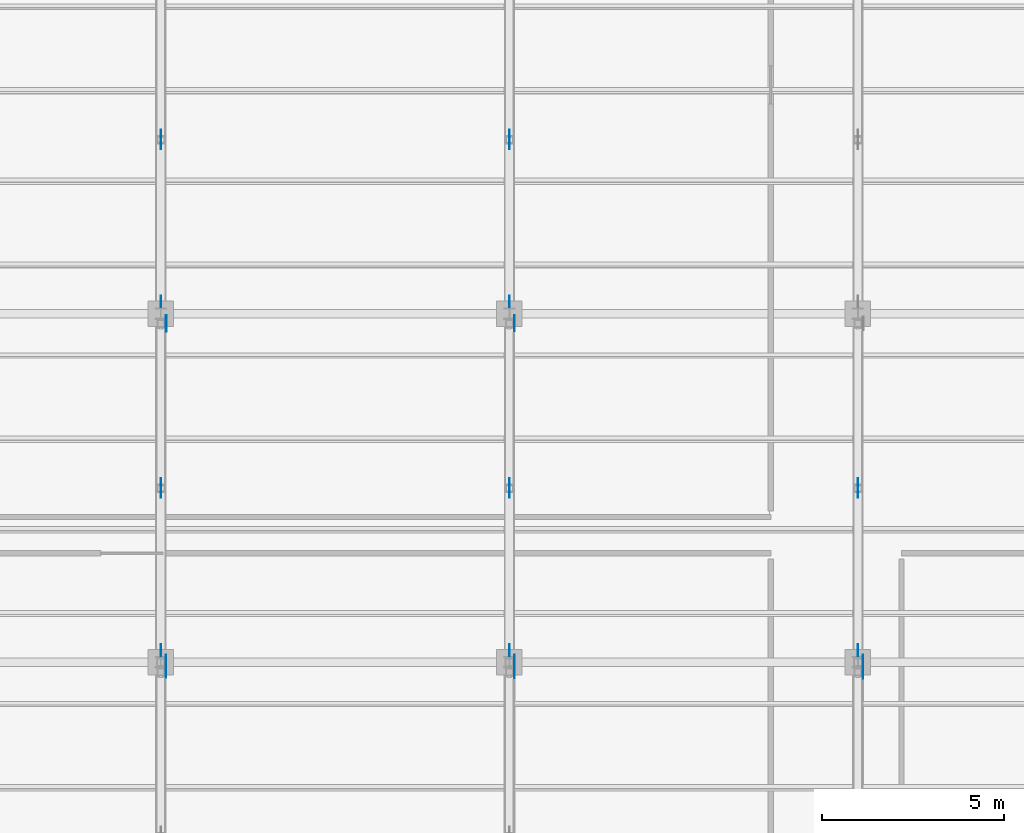
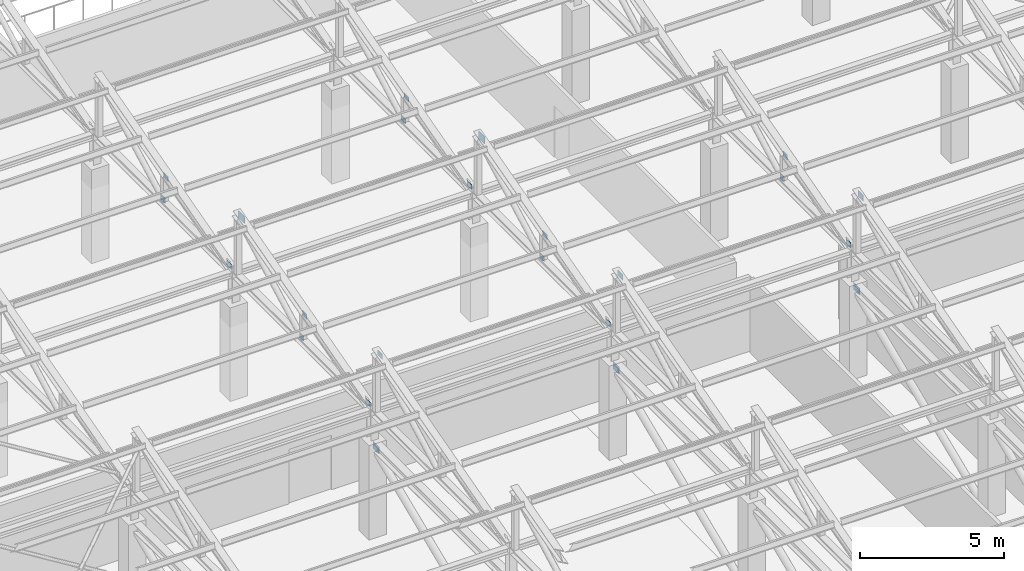
# One storey, part 49 of 71: 23 plates.
"""IFC4 building model written with IfcOpenShell, lengths in metres."""

from ifc_helpers import new_model, si_unit, direction, frame, origin, origin_2d, place, context, subcontext, project, spatial, rectangle, extrude, material, layer, layer_set, type_object, element, save


model = new_model("IFC4")

# Units and contexts
model_context = context("Model", 3, precision=1e-05, world=origin(), true_north=direction((0.0, 1.0)))
body_context = subcontext(model_context, "Body", "Model", "MODEL_VIEW")
ifc_project = project(units=[si_unit("LENGTHUNIT", "METRE"), si_unit("AREAUNIT", "SQUARE_METRE"), si_unit("VOLUMEUNIT", "CUBIC_METRE"), si_unit("PLANEANGLEUNIT", "RADIAN"), si_unit("MASSUNIT", "GRAM", prefix="KILO")], contexts=[model_context])

# Site, building, storey
site_placement = place(None, origin())
site = spatial("IfcSite", under=ifc_project, at=site_placement, CompositionType="ELEMENT")
building_placement = place(site_placement, origin())
building = spatial("IfcBuilding", under=site, at=building_placement, Name="Bempovik Park Faculty of Sciences", CompositionType="ELEMENT")
storey_placement = place(building_placement, frame((0.0, 0.0, 14.10009765625)))
storey = spatial("IfcBuildingStorey", under=building, at=storey_placement, Name="L03", CompositionType="ELEMENT", Elevation=14.10009765625)

# Plates
ifc_material = material(Name="Steel S355", Category="steel")
ifc_layer_1 = layer(ifc_material, 0.01611328125)
ifc_layer_set_1 = layer_set([ifc_layer_1], Name="Steel S355")
plate_type_1 = type_object("IfcPlateType", Name="PL-19 Steel Plate 350x240x16", PredefinedType="USERDEFINED", material=ifc_layer_set_1)
plate_1_placement = place(storey_placement, frame((88.946044921875, 38.72998046875, 7.484375), z_axis=(0.0, 0.0, 1.0), x_axis=(1.0, 0.0, 0.0)))
element("IfcPlate", 1, at=plate_1_placement, inside=storey, type_object=plate_type_1, Name="Sawtooth Ridge Gusset Plate V1-B2-88.8", ObjectType="STIFFENER PLATE", PredefinedType="USERDEFINED", context=body_context, shape_type="SweptSolid", body=[
    extrude(rectangle(XDim=0.01611328125, YDim=0.35009765625, at=origin_2d()), origin(), (0.0, 0.0, 1.0), 0.239990234375),
])
ifc_layer_2 = layer(ifc_material, 0.01806640625)
ifc_layer_set_2 = layer_set([ifc_layer_2], Name="Steel S355")
plate_type_2 = type_object("IfcPlateType", Name="PL-22 Steel Plate 420x300x18", PredefinedType="SHEET", material=ifc_layer_set_2)
for number, where, z_axis, x_axis, name in (
    (2, (79.340087890625, 39.0, 3.3701171875), (0.0, 0.0, 1.0), (1.0, 0.0, 0.0), "Cantilever Gusset Plate CT3-5-T"),
    (3, (88.93994140625, 39.0, 3.3701171875), (0.0, 0.0, 1.0), (1.0, 0.0, 0.0), "Cantilever Gusset Plate CT4-5-T"),
    (4, (98.5400390625, 39.0, 3.3701171875), (0.0, 0.0, 1.0), (1.0, 0.0, 0.0), "Cantilever Gusset Plate CT5-5-T"),
):
    element("IfcPlate", number, at=place(storey_placement, frame(where, z_axis=z_axis, x_axis=x_axis)), inside=storey, type_object=plate_type_2, Name=name, PredefinedType="SHEET", context=body_context, shape_type="SweptSolid", body=[
        extrude(rectangle(XDim=0.01806640625, YDim=0.419921875, at=origin_2d()), origin(), (0.0, 0.0, 1.0), 0.300048828125),
    ])
ifc_layer_3 = layer(ifc_material, 0.011962890625)
ifc_layer_set_3 = layer_set([ifc_layer_3], Name="Steel S355")
plate_type_3 = type_object("IfcPlateType", Name="PL-26 Steel Plate 320x220x12", PredefinedType="SHEET", material=ifc_layer_set_3)
for number, where, z_axis, x_axis, name in (
    (5, (79.343994140625, 38.72998046875, 7.49462890625), (0.0, 0.0, 1.0), (1.0, 0.0, 0.0), "Sawtooth Ridge Gusset Plate V1-B2-79.2"),
    (6, (79.199951171875, 39.330078125, 5.17578125), (0.0, 0.0, 1.0), (1.0, 0.0, 0.0), "Brace/Strut End Gusset Plate SAW-V1-B3-D1-792-E1"),
    (7, (79.199951171875, 43.695068359375, 6.228515625), (0.0, 0.0, 1.0), (1.0, 0.0, 0.0), "Brace/Strut End Gusset Plate SAW-V1-B3-D1-792-E2"),
    (8, (79.199951171875, 43.905029296875, 5.17578125), (0.0, 0.0, 1.0), (1.0, 0.0, 0.0), "Brace/Strut End Gusset Plate SAW-V1-B3-D2-792-E1"),
    (9, (88.800048828125, 39.330078125, 5.17578125), (0.0, 0.0, 1.0), (1.0, 0.0, 0.0), "Brace/Strut End Gusset Plate SAW-V1-B3-D1-888-E1"),
    (10, (88.800048828125, 43.695068359375, 6.228515625), (0.0, 0.0, 1.0), (1.0, 0.0, 0.0), "Brace/Strut End Gusset Plate SAW-V1-B3-D1-888-E2"),
    (11, (88.800048828125, 43.905029296875, 5.17578125), (0.0, 0.0, 1.0), (1.0, 0.0, 0.0), "Brace/Strut End Gusset Plate SAW-V1-B3-D2-888-E1"),
    (12, (98.39990234375, 39.330078125, 5.17578125), (0.0, 0.0, 1.0), (1.0, 0.0, 0.0), "Brace/Strut End Gusset Plate SAW-V1-B3-D1-984-E1"),
    (13, (98.39990234375, 43.695068359375, 6.228515625), (0.0, 0.0, 1.0), (1.0, 0.0, 0.0), "Brace/Strut End Gusset Plate SAW-V1-B3-D1-984-E2"),
    (14, (98.39990234375, 43.905029296875, 5.17578125), (0.0, 0.0, 1.0), (1.0, 0.0, 0.0), "Brace/Strut End Gusset Plate SAW-V1-B3-D2-984-E1"),
    (15, (79.199951171875, 48.929931640625, 5.17578125), (0.0, 0.0, 1.0), (1.0, 0.0, 0.0), "Brace/Strut End Gusset Plate SAW-V1-B4-D1-792-E1"),
    (16, (79.199951171875, 53.294921875, 6.228515625), (0.0, 0.0, 1.0), (1.0, 0.0, 0.0), "Brace/Strut End Gusset Plate SAW-V1-B4-D1-792-E2"),
    (17, (79.199951171875, 53.5048828125, 5.17578125), (0.0, 0.0, 1.0), (1.0, 0.0, 0.0), "Brace/Strut End Gusset Plate SAW-V1-B4-D2-792-E1"),
    (18, (88.800048828125, 48.929931640625, 5.17578125), (0.0, 0.0, 1.0), (1.0, 0.0, 0.0), "Brace/Strut End Gusset Plate SAW-V1-B4-D1-888-E1"),
    (19, (88.800048828125, 53.294921875, 6.228515625), (0.0, 0.0, 1.0), (1.0, 0.0, 0.0), "Brace/Strut End Gusset Plate SAW-V1-B4-D1-888-E2"),
    (20, (88.800048828125, 53.5048828125, 5.17578125), (0.0, 0.0, 1.0), (1.0, 0.0, 0.0), "Brace/Strut End Gusset Plate SAW-V1-B4-D2-888-E1"),
):
    element("IfcPlate", number, at=place(storey_placement, frame(where, z_axis=z_axis, x_axis=x_axis)), inside=storey, type_object=plate_type_3, Name=name, PredefinedType="SHEET", context=body_context, shape_type="SweptSolid", body=[
        extrude(rectangle(XDim=0.011962890625, YDim=0.320068359375, at=origin_2d()), origin(), (0.0, 0.0, 1.0), 0.219970703125),
    ])
ifc_layer_4 = layer(ifc_material, 0.01611328125)
ifc_layer_set_4 = layer_set([ifc_layer_4], Name="Steel S355")
plate_type_4 = type_object("IfcPlateType", Name="PL-33 Steel Plate 440x300x16", PredefinedType="SHEET", material=ifc_layer_set_4)
plate_2_placement = place(storey_placement, frame((88.946044921875, 48.330078125, 7.45458984375), z_axis=(0.0, 0.0, 1.0), x_axis=(1.0, 0.0, 0.0)))
element("IfcPlate", 21, at=plate_2_placement, inside=storey, type_object=plate_type_4, Name="Sawtooth Ridge Gusset Plate V1-B3-88.8", PredefinedType="SHEET", context=body_context, shape_type="SweptSolid", body=[
    extrude(rectangle(XDim=0.01611328125, YDim=0.43994140625, at=origin_2d()), origin(), (0.0, 0.0, 1.0), 0.300048828125),
])
ifc_layer_5 = layer(ifc_material, 0.02001953125)
ifc_layer_set_5 = layer_set([ifc_layer_5], Name="Steel S355")
plate_type_5 = type_object("IfcPlateType", Name="PL-36 Steel Plate 450x280x20", PredefinedType="USERDEFINED", material=ifc_layer_set_5)
plate_3_placement = place(storey_placement, frame((79.347900390625, 48.330078125, 7.46435546875), z_axis=(0.0, 0.0, 1.0), x_axis=(1.0, 0.0, 0.0)))
element("IfcPlate", 22, at=plate_3_placement, inside=storey, type_object=plate_type_5, Name="Sawtooth Ridge Gusset Plate V1-B3-79.2", ObjectType="STIFFENER PLATE", PredefinedType="USERDEFINED", context=body_context, shape_type="SweptSolid", body=[
    extrude(rectangle(XDim=0.02001953125, YDim=0.449951171875, at=origin_2d()), origin(), (0.0, 0.0, 1.0), 0.280029296875),
])
ifc_layer_6 = layer(ifc_material, 0.013916015625)
ifc_layer_set_6 = layer_set([ifc_layer_6], Name="Steel S355")
plate_type_6 = type_object("IfcPlateType", Name="PL-39 Steel Plate 360x250x14", PredefinedType="SHEET", material=ifc_layer_set_6)
plate_4_placement = place(storey_placement, frame((98.544921875, 38.72998046875, 7.4794921875), z_axis=(0.0, 0.0, 1.0), x_axis=(1.0, 0.0, 0.0)))
element("IfcPlate", 23, at=plate_4_placement, inside=storey, type_object=plate_type_6, Name="Sawtooth Ridge Gusset Plate V1-B2-98.4", PredefinedType="SHEET", context=body_context, shape_type="SweptSolid", body=[
    extrude(rectangle(XDim=0.013916015625, YDim=0.360107421875, at=origin_2d()), origin(), (0.0, 0.0, 1.0), 0.25),
])

save(model, "model.ifc")
